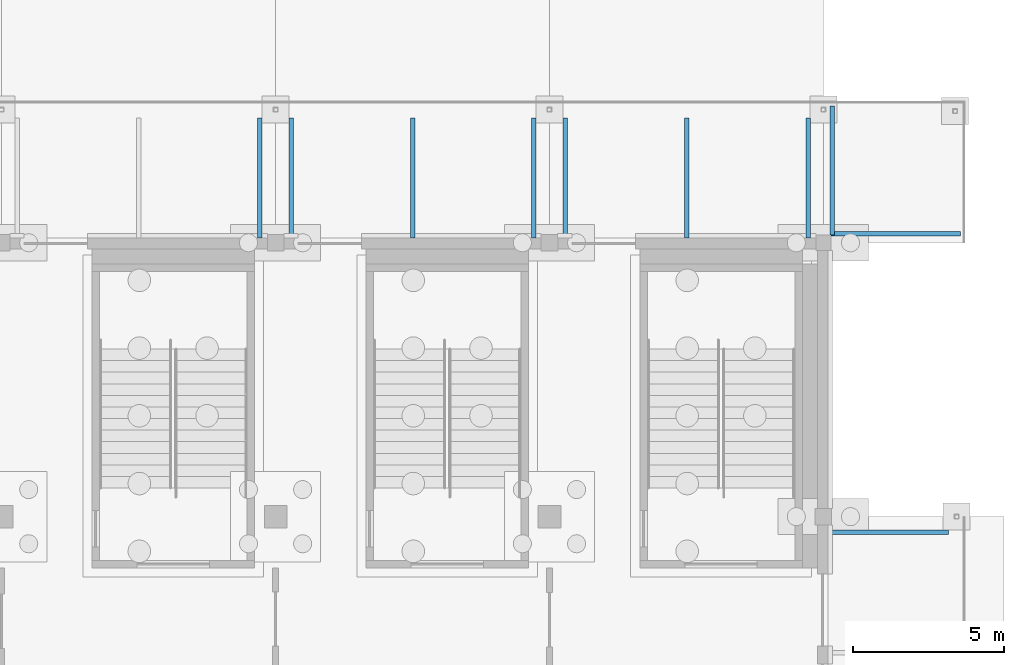
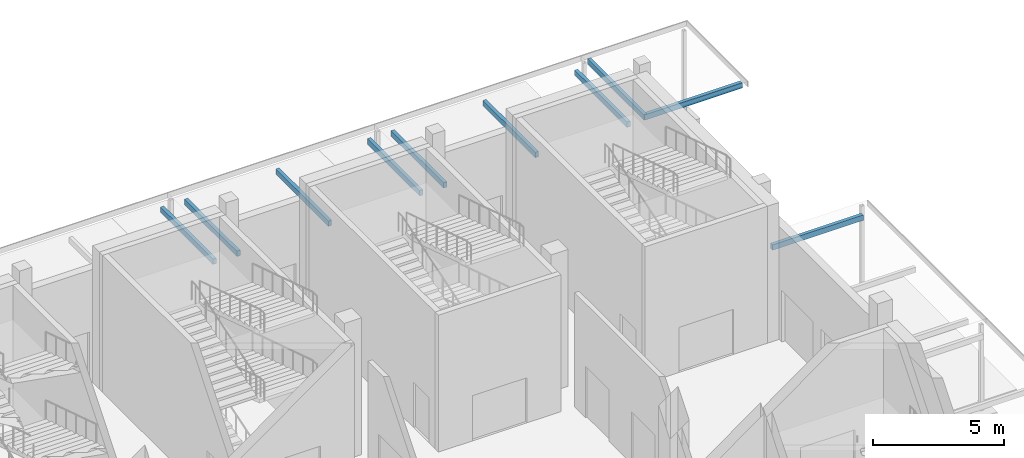
# One storey, part 100 of 129: 10 discrete accessories.
"""IFC4 building model written with IfcOpenShell, lengths in metres."""

from ifc_helpers import new_model, si_unit, direction, frame, origin, origin_2d, place, context, subcontext, project, spatial, rectangle, extrude, material, type_object, element, save


model = new_model("IFC4")

# Units and contexts
model_context = context("Model", 3, precision=1e-05, world=origin(), true_north=direction((0.0, 1.0)))
body_context = subcontext(model_context, "Body", "Model", "MODEL_VIEW")
ifc_project = project(units=[si_unit("LENGTHUNIT", "METRE"), si_unit("AREAUNIT", "SQUARE_METRE"), si_unit("VOLUMEUNIT", "CUBIC_METRE"), si_unit("PLANEANGLEUNIT", "RADIAN"), si_unit("MASSUNIT", "GRAM", prefix="KILO")], contexts=[model_context])

# Site, building, storey
site_placement = place(None, origin())
site = spatial("IfcSite", under=ifc_project, at=site_placement, CompositionType="ELEMENT")
building_placement = place(site_placement, origin())
building = spatial("IfcBuilding", under=site, at=building_placement, Name="Shirokan Park Arena", CompositionType="ELEMENT")
storey_placement = place(building_placement, origin())
storey = spatial("IfcBuildingStorey", under=building, at=storey_placement, Name="L00", CompositionType="ELEMENT", Elevation=0.0)

# Discrete accessories
ifc_material = material(Name="Steel S355", Category="steel")
discrete_accessory_type = type_object("IfcDiscreteAccessoryType", Name="Canopy bracket 150x250", PredefinedType="BRACKET", material=ifc_material)
for number, where, z_axis, x_axis, name in (
    (1, (147.75, 99.574951171875, 3.35009765625), (0.0, 0.0, 1.0), (0.0, 1.0, 0.0), "Canopy bracket east bay 11 3"),
    (2, (145.10009765625, 111.35009765625, 3.35009765625), (0.0, 0.0, 1.0), (-1.0, 0.0, 0.0), "Canopy bracket north bay 1 1"),
    (3, (141.0625, 111.35009765625, 3.35009765625), (0.0, 0.0, 1.0), (-1.0, 0.0, 0.0), "Canopy bracket north bay 1 2"),
    (4, (137.02490234375, 111.35009765625, 3.35009765625), (0.0, 0.0, 1.0), (-1.0, 0.0, 0.0), "Canopy bracket north bay 1 3"),
    (5, (135.97509765625, 111.35009765625, 3.35009765625), (0.0, 0.0, 1.0), (-1.0, 0.0, 0.0), "Canopy bracket north bay 2 1"),
    (6, (131.949951171875, 111.35009765625, 3.35009765625), (0.0, 0.0, 1.0), (-1.0, 0.0, 0.0), "Canopy bracket north bay 2 2"),
    (7, (127.925048828125, 111.35009765625, 3.35009765625), (0.0, 0.0, 1.0), (-1.0, 0.0, 0.0), "Canopy bracket north bay 2 3"),
    (8, (126.875, 111.35009765625, 3.35009765625), (0.0, 0.0, 1.0), (-1.0, 0.0, 0.0), "Canopy bracket north bay 3 1"),
):
    element("IfcDiscreteAccessory", number, at=place(storey_placement, frame(where, z_axis=z_axis, x_axis=x_axis)), inside=storey, type_object=discrete_accessory_type, Name=name, PredefinedType="BRACKET", context=body_context, shape_type="SweptSolid", body=[
        extrude(rectangle(XDim=0.14990234375, YDim=4.0, at=origin_2d()), origin(), (0.0, 0.0, 1.0), 0.25),
    ])
discrete_accessory_1_placement = place(storey_placement, frame((148.0, 109.5, 3.35009765625), z_axis=(0.0, 0.0, 1.0), x_axis=(1.0, 0.0, 0.0)))
element("IfcDiscreteAccessory", 9, at=discrete_accessory_1_placement, inside=storey, type_object=discrete_accessory_type, Name="Canopy bracket NE corner 1", PredefinedType="BRACKET", context=body_context, shape_type="SweptSolid", body=[
    extrude(rectangle(XDim=4.300048828125, YDim=0.14990234375, at=origin_2d()), origin(), (0.0, 0.0, 1.0), 0.25),
])
discrete_accessory_2_placement = place(storey_placement, frame((145.89990234375, 111.60009765625, 3.35009765625), z_axis=(0.0, 0.0, 1.0), x_axis=(1.0, 0.0, 0.0)))
element("IfcDiscreteAccessory", 10, at=discrete_accessory_2_placement, inside=storey, type_object=discrete_accessory_type, Name="Canopy bracket NE corner 2", PredefinedType="BRACKET", context=body_context, shape_type="SweptSolid", body=[
    extrude(rectangle(XDim=0.14990234375, YDim=4.300048828125, at=origin_2d()), origin(), (0.0, 0.0, 1.0), 0.25),
])

save(model, "model.ifc")
